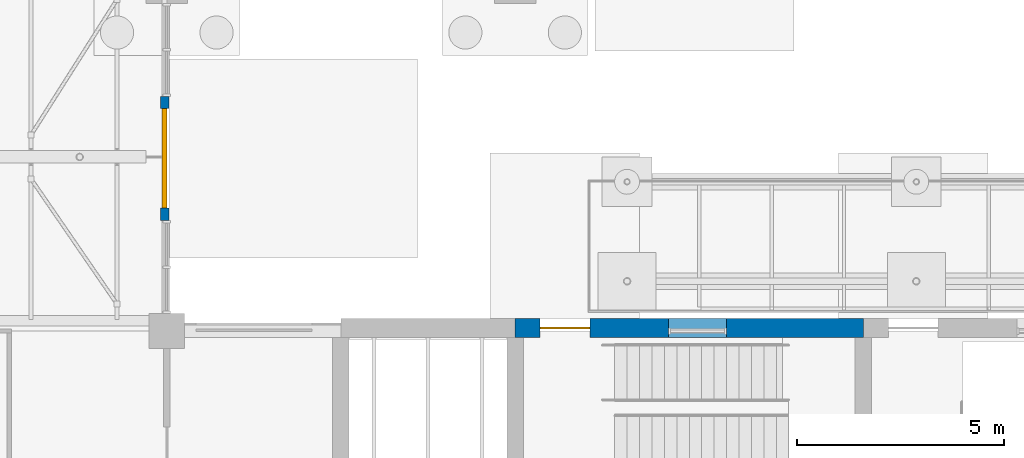
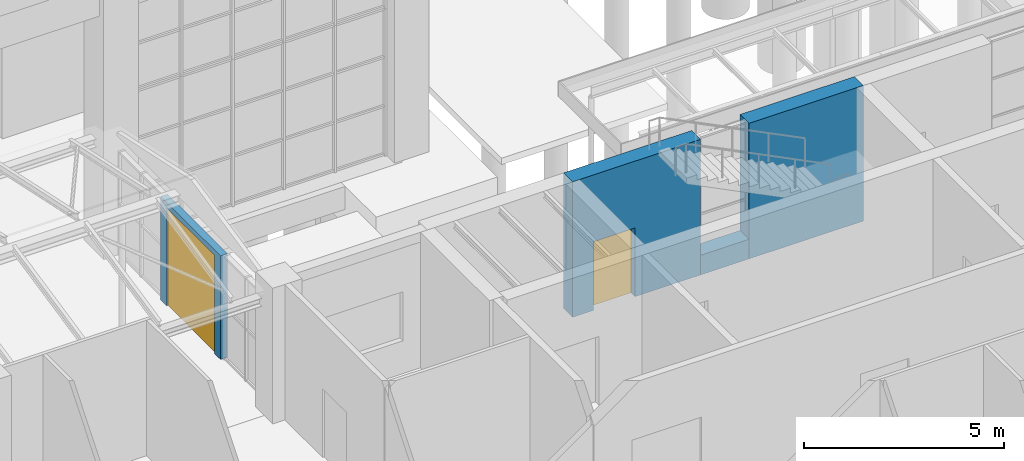
# One storey, part 102 of 138: 4 walls, 2 doors, 2 openings.
"""IFC4 building model written with IfcOpenShell, lengths in metres."""

from ifc_helpers import new_model, si_unit, direction, frame, frame_2d, origin, place, context, subcontext, project, spatial, rectangle, extrude, material, layer, layer_set, type_object, element, fill, save


model = new_model("IFC4")

# Units and contexts
model_context = context("Model", 3, precision=1e-05, world=origin(), true_north=direction((0.0, 1.0)))
body_context = subcontext(model_context, "Body", "Model", "MODEL_VIEW")
ifc_project = project(units=[si_unit("LENGTHUNIT", "METRE"), si_unit("AREAUNIT", "SQUARE_METRE"), si_unit("VOLUMEUNIT", "CUBIC_METRE"), si_unit("PLANEANGLEUNIT", "RADIAN"), si_unit("MASSUNIT", "GRAM", prefix="KILO")], contexts=[model_context])

# Site, building, storey
site_placement = place(None, origin())
site = spatial("IfcSite", under=ifc_project, at=site_placement, CompositionType="ELEMENT")
building_placement = place(site_placement, origin())
building = spatial("IfcBuilding", under=site, at=building_placement, Name="Yavir Park General Hospital", CompositionType="ELEMENT")
storey_placement = place(building_placement, origin())
storey = spatial("IfcBuildingStorey", under=building, at=storey_placement, Name="L00", CompositionType="ELEMENT", Elevation=0.0)

# Wall, opening, door
ifc_material_1 = material(Name="Aluminium glazing frame wall with insulated infill", Category="aluminium")
ifc_layer_1 = layer(ifc_material_1, 0.199951171875)
ifc_layer_set_1 = layer_set([ifc_layer_1], Name="Aluminium glazing frame wall with insulated infill")
wall_type_1 = type_object("IfcWallType", Name="Glazing frame wall 200, E 30", PredefinedType="SOLIDWALL", material=ifc_layer_set_1)
wall_1_placement = place(storey_placement, frame((100.75, 36.262451171875, 0.0), z_axis=(0.0, 0.0, 1.0), x_axis=(0.0, 1.0, 0.0)))
wall_1 = element("IfcWall", 1, at=wall_1_placement, inside=storey, type_object=wall_type_1, Name="XW9 L00-153", PredefinedType="SOLIDWALL", context=body_context, shape_type="SweptSolid", body=[
    extrude(rectangle(XDim=3.0, YDim=0.199951171875, at=frame_2d((1.5, 0.0))), origin(), (0.0, 0.0, 1.0), 3.1640625),
])
opening_1_placement = place(wall_1_placement, frame((0.300048828125, 0.0, 0.0)))
opening_1 = element("IfcOpeningElement", 2, at=opening_1_placement, cuts=wall_1, Name="Opening L00.X30", PredefinedType="OPENING", context=body_context, shape_type="SweptSolid", body=[
    extrude(rectangle(XDim=2.39990234375, YDim=3.0, at=frame_2d((1.199951171875, 1.5))), frame((0.0, 0.10986328125, 0.0), z_axis=(0.0, -1.0, 0.0), x_axis=(1.0, 0.0, 0.0)), (0.0, 0.0, 1.0), 0.219970703125),
])
ifc_material_2 = material(Name="Aluminium frame, toughened glass leaves", Category="aluminium")
door_type_1 = type_object("IfcDoorType", Name="Automatic entrance sliding door 2400 x 3000", OperationType="DOUBLE_DOOR_SLIDING", PredefinedType="DOOR", material=ifc_material_2)
door_1_placement = place(opening_1_placement, frame((2.39990234375, 0.0, 0.0), x_axis=(-1.0, 0.0, 0.0)))
door_1 = element("IfcDoor", 3, at=door_1_placement, inside=storey, type_object=door_type_1, Name="L00.X30", OperationType="DOUBLE_DOOR_SLIDING", OverallHeight=3.0, OverallWidth=2.39990234375, PredefinedType="DOOR", context=body_context, shape_type="SweptSolid", body=[
    extrude(rectangle(XDim=2.39990234375, YDim=3.0, at=frame_2d((1.199951171875, 1.5))), frame((0.0, 0.06005859375, 0.0), z_axis=(0.0, -1.0, 0.0), x_axis=(1.0, 0.0, 0.0)), (0.0, 0.0, 1.0), 0.1201171875),
])
fill(opening_1, door_1)

ifc_material_3 = material(Name="Concrete C30/37 precast panel with 150 mm mineral wool insulation", Category="concrete")
ifc_layer_2 = layer(ifc_material_3, 0.449951171875)
ifc_layer_set_2 = layer_set([ifc_layer_2], Name="Concrete C30/37 precast panel with 150 mm mineral wool insulation")
wall_type_2 = type_object("IfcWallType", Name="Stair enclosure wall 450, REI 150", PredefinedType="SOLIDWALL", material=ifc_layer_set_2)
wall_2_placement = place(storey_placement, frame((109.199951171875, 33.675048828125, 0.0), z_axis=(0.0, 0.0, 1.0), x_axis=(1.0, 0.0, 0.0)))
wall_2 = element("IfcWall", 4, at=wall_2_placement, inside=storey, type_object=wall_type_2, Name="XW6 L00-047", PredefinedType="SOLIDWALL", context=body_context, shape_type="SweptSolid", body=[
    extrude(rectangle(XDim=3.699951171875, YDim=0.449951171875, at=frame_2d((1.85009765625, 0.0))), origin(), (0.0, 0.0, 1.0), 4.139892578125),
])
opening_2_placement = place(wall_2_placement, frame((0.60009765625, 0.0, 0.0)))
opening_2 = element("IfcOpeningElement", 5, at=opening_2_placement, cuts=wall_2, Name="Opening L00.X13", PredefinedType="OPENING", context=body_context, shape_type="SweptSolid", body=[
    extrude(rectangle(XDim=1.199951171875, YDim=2.10009765625, at=frame_2d((0.60009765625, 1.050048828125))), frame((0.0, 0.23486328125, 0.0), z_axis=(0.0, -1.0, 0.0), x_axis=(1.0, 0.0, 0.0)), (0.0, 0.0, 1.0), 0.469970703125),
])
ifc_material_4 = material(Name="Hollow metal frame, solid-core timber leaf", Category="wood")
door_type_2 = type_object("IfcDoorType", Name="Single swing door 1200 x 2100", OperationType="SINGLE_SWING_LEFT", PredefinedType="DOOR", material=ifc_material_4)
door_2_placement = place(opening_2_placement, origin())
door_2 = element("IfcDoor", 6, at=door_2_placement, inside=storey, type_object=door_type_2, Name="L00.X13", OperationType="SINGLE_SWING_RIGHT", OverallHeight=2.10009765625, OverallWidth=1.199951171875, PredefinedType="DOOR", context=body_context, shape_type="SweptSolid", body=[
    extrude(rectangle(XDim=1.199951171875, YDim=2.10009765625, at=frame_2d((0.60009765625, 1.050048828125))), frame((0.0, 0.02490234375, 0.0), z_axis=(0.0, -1.0, 0.0), x_axis=(1.0, 0.0, 0.0)), (0.0, 0.0, 1.0), 0.050048828125),
])
fill(opening_2, door_2)

# Walls
wall_3_placement = place(storey_placement, frame((114.300048828125, 33.675048828125, 0.0), z_axis=(0.0, 0.0, 1.0), x_axis=(1.0, 0.0, 0.0)))
element("IfcWall", 7, at=wall_3_placement, inside=storey, type_object=wall_type_2, Name="XW6 L00-048", PredefinedType="SOLIDWALL", context=body_context, shape_type="SweptSolid", body=[
    extrude(rectangle(XDim=3.300048828125, YDim=0.449951171875, at=frame_2d((1.64990234375, 0.0))), origin(), (0.0, 0.0, 1.0), 4.139892578125),
])
wall_4_placement = place(storey_placement, frame((112.89990234375, 33.675048828125, 0.0), z_axis=(0.0, 0.0, 1.0), x_axis=(1.0, 0.0, 0.0)))
element("IfcWall", 8, at=wall_4_placement, inside=storey, type_object=wall_type_2, Name="XW6 L00-049", PredefinedType="SOLIDWALL", context=body_context, shape_type="SweptSolid", body=[
    extrude(rectangle(XDim=1.400146484375, YDim=0.449951171875, at=frame_2d((0.7001953125, 0.0))), origin(), (0.0, 0.0, 1.0), 0.60009765625),
])

save(model, "model.ifc")
